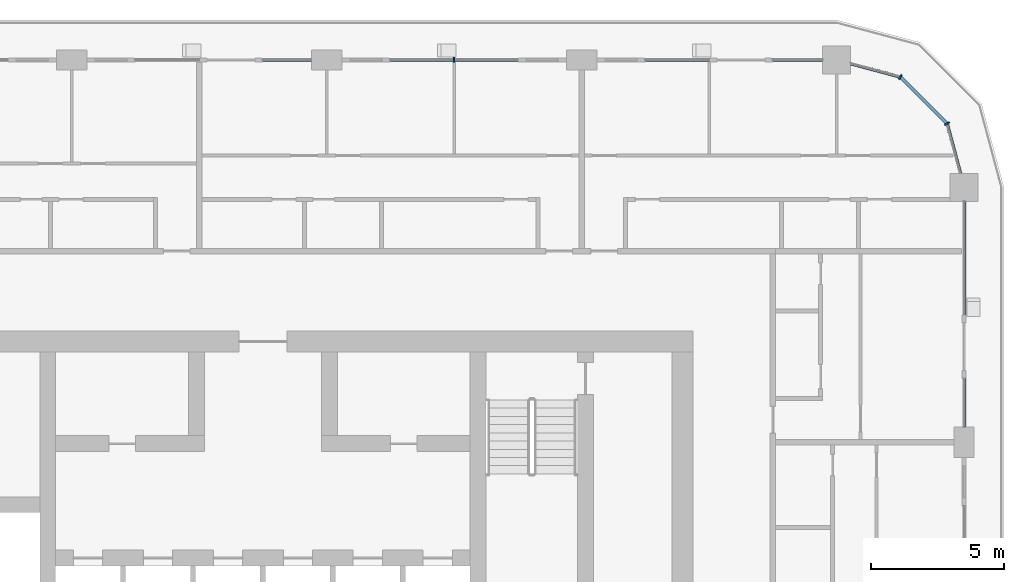
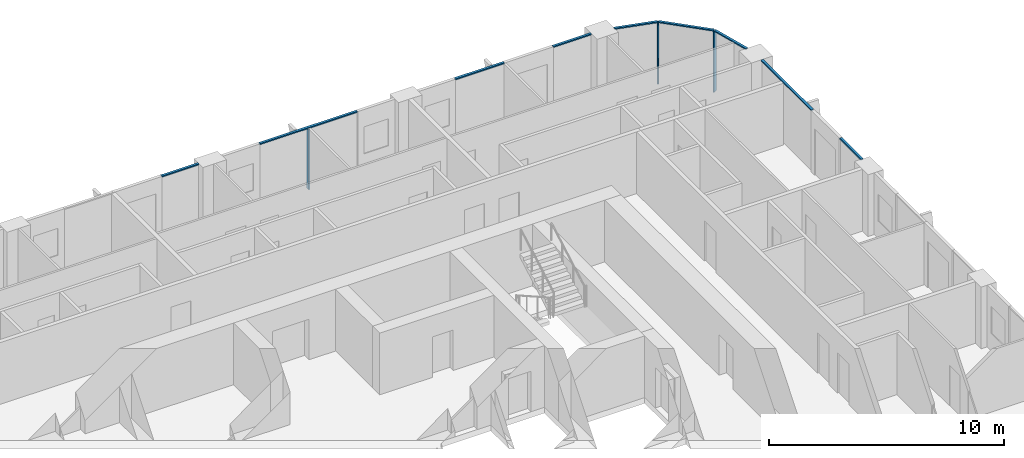
# One storey, part 6 of 22: 12 members, 5 elements without a shape of their own.
"""IFC4 building model written with IfcOpenShell, lengths in metres."""

from ifc_helpers import new_model, si_unit, direction, frame, origin, origin_2d, place, context, subcontext, project, spatial, rectangle, extrude, material, layer, layer_set, material_profile, profile_set, type_object, element, aggregate, save


model = new_model("IFC4")

# Units and contexts
model_context = context("Model", 3, precision=1e-05, world=origin(), true_north=direction((0.0, 1.0)))
body_context = subcontext(model_context, "Body", "Model", "MODEL_VIEW")
ifc_project = project(units=[si_unit("LENGTHUNIT", "METRE"), si_unit("AREAUNIT", "SQUARE_METRE"), si_unit("VOLUMEUNIT", "CUBIC_METRE"), si_unit("PLANEANGLEUNIT", "RADIAN"), si_unit("MASSUNIT", "GRAM", prefix="KILO")], contexts=[model_context])

# Site, building, storey
site_placement = place(None, origin())
site = spatial("IfcSite", under=ifc_project, at=site_placement, CompositionType="ELEMENT")
building_placement = place(site_placement, origin())
building = spatial("IfcBuilding", under=site, at=building_placement, Name="Madar Terraces", CompositionType="ELEMENT")
storey_placement = place(building_placement, frame((0.0, 0.0, 152.5)))
storey = spatial("IfcBuildingStorey", under=building, at=storey_placement, Name="L39", CompositionType="ELEMENT", Elevation=152.5)

# Curtain wall, member
ifc_material_1 = material(Name="Glass, ceramic frit dark grey, with black aluminium frame", Category="aluminium")
ifc_layer = layer(ifc_material_1, 0.199951171875)
ifc_layer_set = layer_set([ifc_layer], Name="Facade curtain wall, fritted glass")
curtain_wall_type = type_object("IfcCurtainWallType", Name="Facade curtain wall, fritted glass", PredefinedType="NOTDEFINED", material=ifc_layer_set)
curtain_wall_1_placement = place(storey_placement, origin())
curtain_wall_1 = element("IfcCurtainWall", 1, at=curtain_wall_1_placement, inside=storey, type_object=curtain_wall_type, Name="Outer skin curtain wall north bay 2", PredefinedType="NOTDEFINED")
ifc_material_2 = material(Name="Aluminium, black anodised", Category="aluminium")
ifc_material_profile_1 = material_profile(ifc_material_2, rectangle(XDim=0.199951171875, YDim=0.06005859375, at=origin_2d()), Name="Facade mullion 60x200")
ifc_profile_set_1 = profile_set([ifc_material_profile_1], Name="Aluminium, black anodised")
member_type_1 = type_object("IfcMemberType", Name="Facade mullion 60x200", PredefinedType="MULLION", material=ifc_profile_set_1)
member_1_placement = place(storey_placement, frame((38.39990234375, 48.0, 0.0), z_axis=(0.0, 0.0, 1.0), x_axis=(0.0, -1.0, 0.0)))
member_1 = element("IfcMember", 2, at=member_1_placement, type_object=member_type_1, Name="Mullion 1", PredefinedType="MULLION", context=body_context, shape_type="SweptSolid", body=[
    extrude(rectangle(XDim=0.199951171875, YDim=0.06005859375, at=origin_2d()), origin(), (0.0, 0.0, 1.0), 3.139892578125),
])

# Curtain wall, members
curtain_wall_2_placement = place(storey_placement, origin())
curtain_wall_2 = element("IfcCurtainWall", 3, at=curtain_wall_2_placement, inside=storey, type_object=curtain_wall_type, Name="Outer skin curtain wall north-east corner", PredefinedType="NOTDEFINED")
member_2_placement = place(storey_placement, frame((56.95703125, 45.60009765625, 0.0), z_axis=(0.0, 0.0, 1.0), x_axis=(-0.866025409797, -0.499999989586, 0.0)))
member_2 = element("IfcMember", 4, at=member_2_placement, type_object=member_type_1, Name="Mullion 1", PredefinedType="MULLION", context=body_context, shape_type="SweptSolid", body=[
    extrude(rectangle(XDim=0.199951171875, YDim=0.06005859375, at=origin_2d()), origin(), (0.0, 0.0, 1.0), 3.139892578125),
])
member_3_placement = place(storey_placement, frame((55.199951171875, 47.35693359375, 0.0), z_axis=(0.0, 0.0, 1.0), x_axis=(-0.499999989586, -0.866025409797, 0.0)))
member_3 = element("IfcMember", 5, at=member_3_placement, type_object=member_type_1, Name="Mullion 2", PredefinedType="MULLION", context=body_context, shape_type="SweptSolid", body=[
    extrude(rectangle(XDim=0.199951171875, YDim=0.06005859375, at=origin_2d()), origin(), (0.0, 0.0, 1.0), 3.139892578125),
])

curtain_wall_3_placement = place(storey_placement, origin())
curtain_wall_3 = element("IfcCurtainWall", 6, at=curtain_wall_3_placement, inside=storey, type_object=curtain_wall_type, Name="Outer skin curtain wall east bay 4", PredefinedType="NOTDEFINED")
ifc_material_3 = material(Name="Aluminium, black anodised", Category="aluminium")
ifc_material_profile_2 = material_profile(ifc_material_3, rectangle(XDim=0.1201171875, YDim=0.06005859375, at=origin_2d()), Name="Facade transom 60x120")
ifc_profile_set_2 = profile_set([ifc_material_profile_2], Name="Aluminium, black anodised")
member_type_2 = type_object("IfcMemberType", Name="Facade transom 60x120", PredefinedType="USERDEFINED", material=ifc_profile_set_2)
member_4_placement = place(storey_placement, frame((57.60009765625, 34.175048828125, 3.169921875), z_axis=(0.0, 1.0, 0.0), x_axis=(-1.0, 0.0, 0.0)))
member_4 = element("IfcMember", 7, at=member_4_placement, type_object=member_type_2, Name="Transom 1", ObjectType="TRANSOM", PredefinedType="USERDEFINED", context=body_context, shape_type="SweptSolid", body=[
    extrude(rectangle(XDim=0.1201171875, YDim=0.06005859375, at=origin_2d()), origin(), (0.0, 0.0, 1.0), 1.824951171875),
])
member_5_placement = place(storey_placement, frame((57.60009765625, 38.39990234375, 3.169921875), z_axis=(0.0, 1.0, 0.0), x_axis=(-1.0, 0.0, 0.0)))
member_5 = element("IfcMember", 8, at=member_5_placement, type_object=member_type_2, Name="Transom 2", ObjectType="TRANSOM", PredefinedType="USERDEFINED", context=body_context, shape_type="SweptSolid", body=[
    extrude(rectangle(XDim=0.1201171875, YDim=0.06005859375, at=origin_2d()), origin(), (0.0, 0.0, 1.0), 4.275146484375),
])
aggregate(curtain_wall_3, [member_4, member_5])

curtain_wall_4_placement = place(storey_placement, origin())
curtain_wall_4 = element("IfcCurtainWall", 9, at=curtain_wall_4_placement, inside=storey, type_object=curtain_wall_type, Name="Outer skin curtain wall north bay 1", PredefinedType="NOTDEFINED")
member_6_placement = place(storey_placement, frame((52.27490234375, 48.0, 3.169921875), z_axis=(-1.0, 0.0, 0.0), x_axis=(0.0, -1.0, 0.0)))
member_6 = element("IfcMember", 10, at=member_6_placement, type_object=member_type_2, Name="Transom 1", ObjectType="TRANSOM", PredefinedType="USERDEFINED", context=body_context, shape_type="SweptSolid", body=[
    extrude(rectangle(XDim=0.1201171875, YDim=0.06005859375, at=origin_2d()), origin(), (0.0, 0.0, 1.0), 1.875),
])
member_7_placement = place(storey_placement, frame((48.0, 48.0, 3.169921875), z_axis=(-1.0, 0.0, 0.0), x_axis=(0.0, -1.0, 0.0)))
member_7 = element("IfcMember", 11, at=member_7_placement, type_object=member_type_2, Name="Transom 2", ObjectType="TRANSOM", PredefinedType="USERDEFINED", context=body_context, shape_type="SweptSolid", body=[
    extrude(rectangle(XDim=0.1201171875, YDim=0.06005859375, at=origin_2d()), origin(), (0.0, 0.0, 1.0), 2.39990234375),
])
aggregate(curtain_wall_4, [member_6, member_7])

# Member
member_8_placement = place(storey_placement, frame((40.800048828125, 48.0, 3.169921875), z_axis=(-1.0, 0.0, 0.0), x_axis=(0.0, -1.0, 0.0)))
member_8 = element("IfcMember", 12, at=member_8_placement, type_object=member_type_2, Name="Transom 1", ObjectType="TRANSOM", PredefinedType="USERDEFINED", context=body_context, shape_type="SweptSolid", body=[
    extrude(rectangle(XDim=0.1201171875, YDim=0.06005859375, at=origin_2d()), origin(), (0.0, 0.0, 1.0), 4.800048828125),
])

aggregate(curtain_wall_1, [member_1, member_8])

# Curtain wall, member
curtain_wall_5_placement = place(storey_placement, origin())
curtain_wall_5 = element("IfcCurtainWall", 13, at=curtain_wall_5_placement, inside=storey, type_object=curtain_wall_type, Name="Outer skin curtain wall north bay 3", PredefinedType="NOTDEFINED")
member_9_placement = place(storey_placement, frame((33.02490234375, 48.0, 3.169921875), z_axis=(-1.0, 0.0, 0.0), x_axis=(0.0, -1.0, 0.0)))
member_9 = element("IfcMember", 14, at=member_9_placement, type_object=member_type_2, Name="Transom 1", ObjectType="TRANSOM", PredefinedType="USERDEFINED", context=body_context, shape_type="SweptSolid", body=[
    extrude(rectangle(XDim=0.1201171875, YDim=0.06005859375, at=origin_2d()), origin(), (0.0, 0.0, 1.0), 1.824951171875),
])
aggregate(curtain_wall_5, [member_9])

# Member
member_10_placement = place(storey_placement, frame((57.459228515625, 43.72509765625, 3.169921875), z_axis=(-0.258823354654, 0.965924671538, 0.0), x_axis=(-0.965924671538, -0.258823354654, 0.0)))
member_10 = element("IfcMember", 15, at=member_10_placement, type_object=member_type_2, Name="Transom 1", ObjectType="TRANSOM", PredefinedType="USERDEFINED", context=body_context, shape_type="SweptSolid", body=[
    extrude(rectangle(XDim=0.1201171875, YDim=0.06005859375, at=origin_2d()), origin(), (0.0, 0.0, 1.0), 1.9111328125),
])

member_11_placement = place(storey_placement, frame((56.935791015625, 45.62109375, 3.169921875), z_axis=(-0.707106781187, 0.707106781187, 0.0), x_axis=(-0.707106781187, -0.707106781187, 0.0)))
member_11 = element("IfcMember", 16, at=member_11_placement, type_object=member_type_2, Name="Transom 2", ObjectType="TRANSOM", PredefinedType="USERDEFINED", context=body_context, shape_type="SweptSolid", body=[
    extrude(rectangle(XDim=0.1201171875, YDim=0.06005859375, at=origin_2d()), origin(), (0.0, 0.0, 1.0), 2.4248046875),
])

member_12_placement = place(storey_placement, frame((55.171142578125, 47.36474609375, 3.169921875), z_axis=(-0.965933227928, 0.25879142023, 0.0), x_axis=(-0.25879142023, -0.965933227928, 0.0)))
member_12 = element("IfcMember", 17, at=member_12_placement, type_object=member_type_2, Name="Transom 3", ObjectType="TRANSOM", PredefinedType="USERDEFINED", context=body_context, shape_type="SweptSolid", body=[
    extrude(rectangle(XDim=0.1201171875, YDim=0.06005859375, at=origin_2d()), origin(), (0.0, 0.0, 1.0), 1.911376953125),
])

aggregate(curtain_wall_2, [member_2, member_10, member_3, member_11, member_12])

save(model, "model.ifc")
